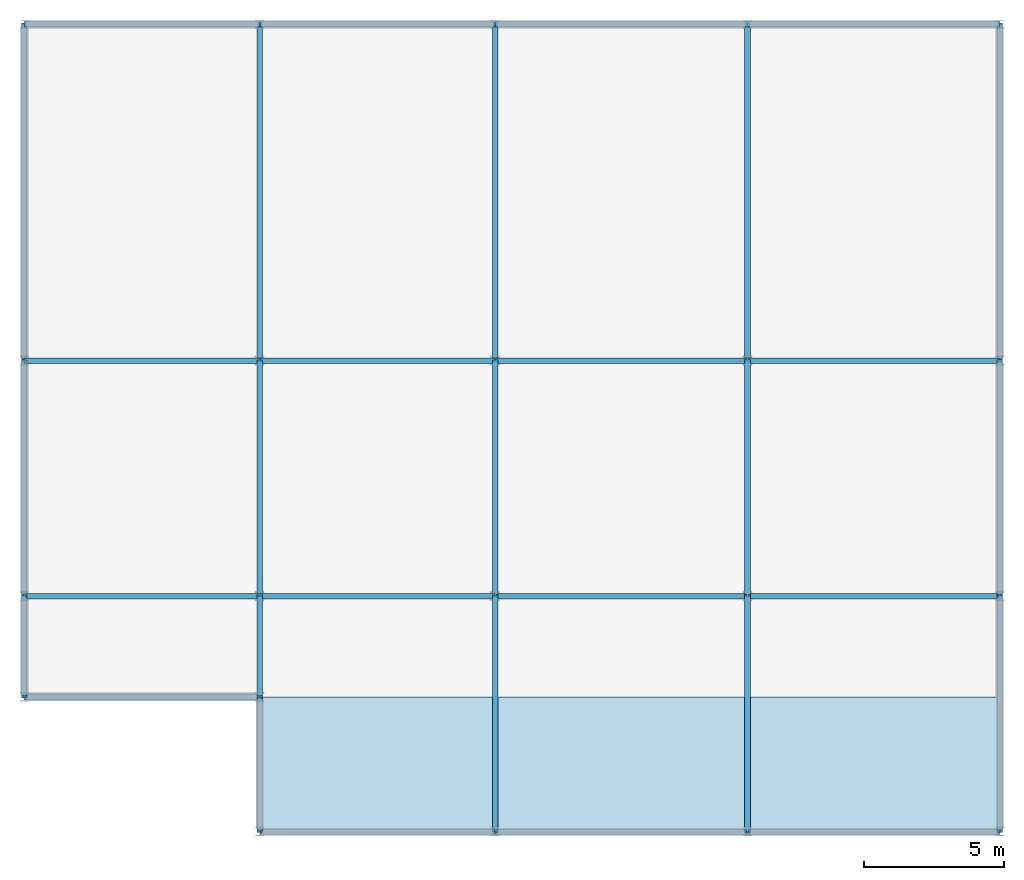
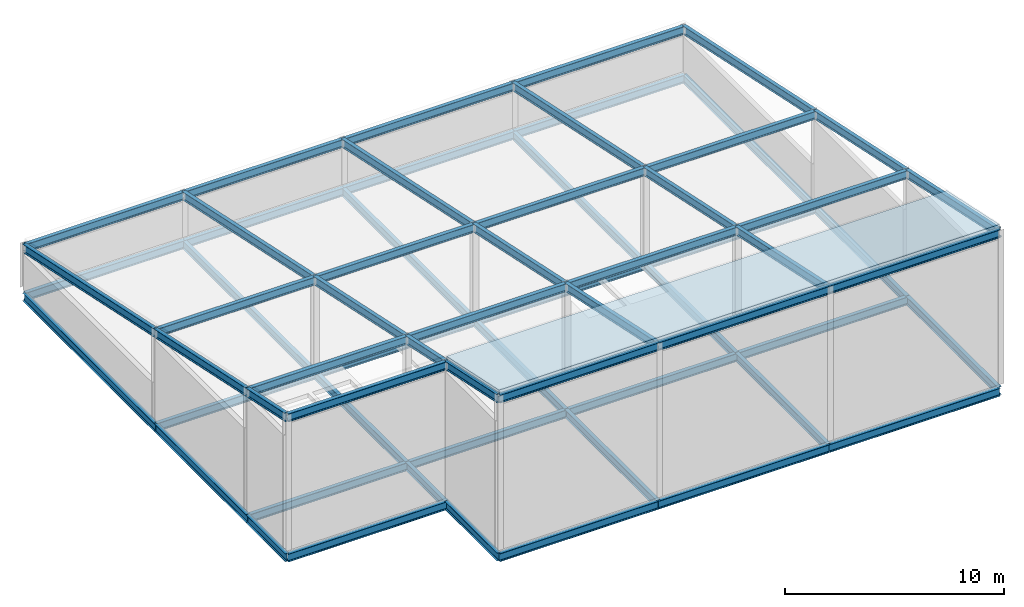
# One storey, part 3 of 5: 64 beams, 1 slab.
"""IFC4 building model written with IfcOpenShell, lengths in metres."""

from ifc_helpers import new_model, si_unit, direction, frame, origin, origin_2d, place, context, subcontext, project, spatial, polyline, i_section, outline, extrude, material, layer, layer_set, material_profile, profile_set, type_object, element, save


model = new_model("IFC4")

# Units and contexts
model_context = context("Model", 3, precision=1e-05, world=origin(), true_north=direction((0.0, 1.0)))
body_context = subcontext(model_context, "Body", "Model", "MODEL_VIEW")
ifc_project = project(units=[si_unit("LENGTHUNIT", "METRE"), si_unit("AREAUNIT", "SQUARE_METRE"), si_unit("VOLUMEUNIT", "CUBIC_METRE"), si_unit("PLANEANGLEUNIT", "RADIAN"), si_unit("MASSUNIT", "GRAM", prefix="KILO")], contexts=[model_context])

# Site, building, storey
site_placement = place(None, origin())
site = spatial("IfcSite", under=ifc_project, at=site_placement, CompositionType="ELEMENT")
building_placement = place(site_placement, origin())
building = spatial("IfcBuilding", under=site, at=building_placement, Name="Yukiwa Park Conservatory and Herbarium", CompositionType="ELEMENT")
storey_placement = place(building_placement, frame((0.0, 0.0, 65.39990234375)))
storey = spatial("IfcBuildingStorey", under=building, at=storey_placement, Name="RF", CompositionType="ELEMENT", Elevation=65.39990234375)

# Beams
ifc_material_1 = material(Name="Steel Q355D", Category="steel")
ifc_material_profile_1 = material_profile(ifc_material_1, i_section(OverallWidth=0.199951171875, OverallDepth=0.449951171875, WebThickness=0.009033203125, FlangeThickness=0.013916015625, FilletRadius=0.01806640625, at=origin_2d()), Name="HN 450x200x9x14")
ifc_profile_set_1 = profile_set([ifc_material_profile_1], Name="Steel Q355D")
beam_type_1 = type_object("IfcBeamType", Name="BM-GRD-HN450", PredefinedType="BEAM", material=ifc_profile_set_1)
beam_1_placement = place(storey_placement, frame((141.60009765625, 91.2060546875, -0.46484375), z_axis=(0.0, 1.0, 0.0), x_axis=(-1.0, 0.0, 0.0)))
element("IfcBeam", 1, at=beam_1_placement, inside=storey, type_object=beam_type_1, Name="Tower crown deck girder Y 141-91", PredefinedType="BEAM", context=body_context, shape_type="SweptSolid", body=[
    extrude(i_section(OverallWidth=0.199951171875, OverallDepth=0.449951171875, WebThickness=0.009033203125, FlangeThickness=0.013916015625, FilletRadius=0.01806640625, at=origin_2d()), origin(), (0.0, 0.0, 1.0), 3.587890625),
])
beam_2_placement = place(storey_placement, frame((141.60009765625, 94.805908203125, -0.46484375), z_axis=(0.0, 1.0, 0.0), x_axis=(-1.0, 0.0, 0.0)))
element("IfcBeam", 2, at=beam_2_placement, inside=storey, type_object=beam_type_1, Name="Tower crown deck girder Y 141-94", PredefinedType="BEAM", context=body_context, shape_type="SweptSolid", body=[
    extrude(i_section(OverallWidth=0.199951171875, OverallDepth=0.449951171875, WebThickness=0.009033203125, FlangeThickness=0.013916015625, FilletRadius=0.01806640625, at=origin_2d()), origin(), (0.0, 0.0, 1.0), 8.38818359375),
])
beam_3_placement = place(storey_placement, frame((141.60009765625, 103.2060546875, -0.46484375), z_axis=(0.0, 1.0, 0.0), x_axis=(-1.0, 0.0, 0.0)))
element("IfcBeam", 3, at=beam_3_placement, inside=storey, type_object=beam_type_1, Name="Tower crown deck girder Y 141-103", PredefinedType="BEAM", context=body_context, shape_type="SweptSolid", body=[
    extrude(i_section(OverallWidth=0.199951171875, OverallDepth=0.449951171875, WebThickness=0.009033203125, FlangeThickness=0.013916015625, FilletRadius=0.01806640625, at=origin_2d()), origin(), (0.0, 0.0, 1.0), 11.988037109375),
])
beam_4_placement = place(storey_placement, frame((150.0, 86.406005859375, -0.46484375), z_axis=(0.0, 1.0, 0.0), x_axis=(-1.0, 0.0, 0.0)))
element("IfcBeam", 4, at=beam_4_placement, inside=storey, type_object=beam_type_1, Name="Tower crown deck girder Y 150-86", PredefinedType="BEAM", context=body_context, shape_type="SweptSolid", body=[
    extrude(i_section(OverallWidth=0.199951171875, OverallDepth=0.449951171875, WebThickness=0.009033203125, FlangeThickness=0.013916015625, FilletRadius=0.01806640625, at=origin_2d()), origin(), (0.0, 0.0, 1.0), 8.387939453125),
])
beam_5_placement = place(storey_placement, frame((150.0, 94.805908203125, -0.46484375), z_axis=(0.0, 1.0, 0.0), x_axis=(-1.0, 0.0, 0.0)))
element("IfcBeam", 5, at=beam_5_placement, inside=storey, type_object=beam_type_1, Name="Tower crown deck girder Y 150-94", PredefinedType="BEAM", context=body_context, shape_type="SweptSolid", body=[
    extrude(i_section(OverallWidth=0.199951171875, OverallDepth=0.449951171875, WebThickness=0.009033203125, FlangeThickness=0.013916015625, FilletRadius=0.01806640625, at=origin_2d()), origin(), (0.0, 0.0, 1.0), 8.38818359375),
])
beam_6_placement = place(storey_placement, frame((150.0, 103.2060546875, -0.46484375), z_axis=(0.0, 1.0, 0.0), x_axis=(-1.0, 0.0, 0.0)))
element("IfcBeam", 6, at=beam_6_placement, inside=storey, type_object=beam_type_1, Name="Tower crown deck girder Y 150-103", PredefinedType="BEAM", context=body_context, shape_type="SweptSolid", body=[
    extrude(i_section(OverallWidth=0.199951171875, OverallDepth=0.449951171875, WebThickness=0.009033203125, FlangeThickness=0.013916015625, FilletRadius=0.01806640625, at=origin_2d()), origin(), (0.0, 0.0, 1.0), 11.988037109375),
])
beam_7_placement = place(storey_placement, frame((159.0, 86.406005859375, -0.46484375), z_axis=(0.0, 1.0, 0.0), x_axis=(-1.0, 0.0, 0.0)))
element("IfcBeam", 7, at=beam_7_placement, inside=storey, type_object=beam_type_1, Name="Tower crown deck girder Y 159-86", PredefinedType="BEAM", context=body_context, shape_type="SweptSolid", body=[
    extrude(i_section(OverallWidth=0.199951171875, OverallDepth=0.449951171875, WebThickness=0.009033203125, FlangeThickness=0.013916015625, FilletRadius=0.01806640625, at=origin_2d()), origin(), (0.0, 0.0, 1.0), 8.387939453125),
])
beam_8_placement = place(storey_placement, frame((159.0, 94.805908203125, -0.46484375), z_axis=(0.0, 1.0, 0.0), x_axis=(-1.0, 0.0, 0.0)))
element("IfcBeam", 8, at=beam_8_placement, inside=storey, type_object=beam_type_1, Name="Tower crown deck girder Y 159-94", PredefinedType="BEAM", context=body_context, shape_type="SweptSolid", body=[
    extrude(i_section(OverallWidth=0.199951171875, OverallDepth=0.449951171875, WebThickness=0.009033203125, FlangeThickness=0.013916015625, FilletRadius=0.01806640625, at=origin_2d()), origin(), (0.0, 0.0, 1.0), 8.38818359375),
])
beam_9_placement = place(storey_placement, frame((159.0, 103.2060546875, -0.46484375), z_axis=(0.0, 1.0, 0.0), x_axis=(-1.0, 0.0, 0.0)))
element("IfcBeam", 9, at=beam_9_placement, inside=storey, type_object=beam_type_1, Name="Tower crown deck girder Y 159-103", PredefinedType="BEAM", context=body_context, shape_type="SweptSolid", body=[
    extrude(i_section(OverallWidth=0.199951171875, OverallDepth=0.449951171875, WebThickness=0.009033203125, FlangeThickness=0.013916015625, FilletRadius=0.01806640625, at=origin_2d()), origin(), (0.0, 0.0, 1.0), 11.988037109375),
])
for number, where, z_axis, x_axis, name in (
    (10, (133.2060546875, 94.800048828125, -0.46484375), (1.0, 0.0, 0.0), (0.0, 1.0, 0.0), "Tower crown deck beam X 94-133"),
    (11, (141.60595703125, 94.800048828125, -0.46484375), (1.0, 0.0, 0.0), (0.0, 1.0, 0.0), "Tower crown deck beam X 94-141"),
):
    element("IfcBeam", number, at=place(storey_placement, frame(where, z_axis=z_axis, x_axis=x_axis)), inside=storey, type_object=beam_type_1, Name=name, PredefinedType="BEAM", context=body_context, shape_type="SweptSolid", body=[
        extrude(i_section(OverallWidth=0.199951171875, OverallDepth=0.449951171875, WebThickness=0.009033203125, FlangeThickness=0.013916015625, FilletRadius=0.01806640625, at=origin_2d()), origin(), (0.0, 0.0, 1.0), 8.387939453125),
    ])
for number, where, z_axis, x_axis, name in (
    (12, (150.006103515625, 94.800048828125, -0.46484375), (1.0, 0.0, 0.0), (0.0, 1.0, 0.0), "Tower crown deck beam X 94-150"),
    (13, (159.006103515625, 94.800048828125, -0.46484375), (1.0, 0.0, 0.0), (0.0, 1.0, 0.0), "Tower crown deck beam X 94-159"),
):
    element("IfcBeam", number, at=place(storey_placement, frame(where, z_axis=z_axis, x_axis=x_axis)), inside=storey, type_object=beam_type_1, Name=name, PredefinedType="BEAM", context=body_context, shape_type="SweptSolid", body=[
        extrude(i_section(OverallWidth=0.199951171875, OverallDepth=0.449951171875, WebThickness=0.009033203125, FlangeThickness=0.013916015625, FilletRadius=0.01806640625, at=origin_2d()), origin(), (0.0, 0.0, 1.0), 8.98779296875),
    ])
for number, where, z_axis, x_axis, name in (
    (14, (133.2060546875, 103.199951171875, -0.46484375), (1.0, 0.0, 0.0), (0.0, 1.0, 0.0), "Tower crown deck beam X 103-133"),
    (15, (141.60595703125, 103.199951171875, -0.46484375), (1.0, 0.0, 0.0), (0.0, 1.0, 0.0), "Tower crown deck beam X 103-141"),
):
    element("IfcBeam", number, at=place(storey_placement, frame(where, z_axis=z_axis, x_axis=x_axis)), inside=storey, type_object=beam_type_1, Name=name, PredefinedType="BEAM", context=body_context, shape_type="SweptSolid", body=[
        extrude(i_section(OverallWidth=0.199951171875, OverallDepth=0.449951171875, WebThickness=0.009033203125, FlangeThickness=0.013916015625, FilletRadius=0.01806640625, at=origin_2d()), origin(), (0.0, 0.0, 1.0), 8.387939453125),
    ])
for number, where, z_axis, x_axis, name in (
    (16, (150.006103515625, 103.199951171875, -0.46484375), (1.0, 0.0, 0.0), (0.0, 1.0, 0.0), "Tower crown deck beam X 103-150"),
    (17, (159.006103515625, 103.199951171875, -0.46484375), (1.0, 0.0, 0.0), (0.0, 1.0, 0.0), "Tower crown deck beam X 103-159"),
):
    element("IfcBeam", number, at=place(storey_placement, frame(where, z_axis=z_axis, x_axis=x_axis)), inside=storey, type_object=beam_type_1, Name=name, PredefinedType="BEAM", context=body_context, shape_type="SweptSolid", body=[
        extrude(i_section(OverallWidth=0.199951171875, OverallDepth=0.449951171875, WebThickness=0.009033203125, FlangeThickness=0.013916015625, FilletRadius=0.01806640625, at=origin_2d()), origin(), (0.0, 0.0, 1.0), 8.98779296875),
    ])
beam_10_placement = place(storey_placement, frame((141.60009765625, 91.2060546875, 7.346435546875), z_axis=(0.0, 0.978008404493, -0.208565483103), x_axis=(-1.0, 0.0, 0.0)))
element("IfcBeam", 18, at=beam_10_placement, inside=storey, type_object=beam_type_1, Name="Tower crown sloped rafter 141-91", PredefinedType="BEAM", context=body_context, shape_type="SweptSolid", body=[
    extrude(i_section(OverallWidth=0.199951171875, OverallDepth=0.449951171875, WebThickness=0.009033203125, FlangeThickness=0.013916015625, FilletRadius=0.01806640625, at=origin_2d()), origin(), (0.0, 0.0, 1.0), 3.66845703125),
])
beam_11_placement = place(storey_placement, frame((141.60009765625, 94.805908203125, 6.581298828125), z_axis=(0.0, 0.978089775084, -0.208183553326), x_axis=(-1.0, 0.0, 0.0)))
element("IfcBeam", 19, at=beam_11_placement, inside=storey, type_object=beam_type_1, Name="Tower crown sloped rafter 141-94", PredefinedType="BEAM", context=body_context, shape_type="SweptSolid", body=[
    extrude(i_section(OverallWidth=0.199951171875, OverallDepth=0.449951171875, WebThickness=0.009033203125, FlangeThickness=0.013916015625, FilletRadius=0.01806640625, at=origin_2d()), origin(), (0.0, 0.0, 1.0), 8.576171875),
])
beam_12_placement = place(storey_placement, frame((141.60009765625, 103.2060546875, 4.7958984375), z_axis=(0.0, 0.978103685943, -0.20811818648), x_axis=(-1.0, 0.0, 0.0)))
element("IfcBeam", 20, at=beam_12_placement, inside=storey, type_object=beam_type_1, Name="Tower crown sloped rafter 141-103", PredefinedType="BEAM", context=body_context, shape_type="SweptSolid", body=[
    extrude(i_section(OverallWidth=0.199951171875, OverallDepth=0.449951171875, WebThickness=0.009033203125, FlangeThickness=0.013916015625, FilletRadius=0.01806640625, at=origin_2d()), origin(), (0.0, 0.0, 1.0), 12.25634765625),
])
beam_13_placement = place(storey_placement, frame((150.0, 86.406005859375, 8.36669921875), z_axis=(0.0, 0.978088541236, -0.20818935012), x_axis=(-1.0, 0.0, 0.0)))
element("IfcBeam", 21, at=beam_13_placement, inside=storey, type_object=beam_type_1, Name="Tower crown sloped rafter 150-86", PredefinedType="BEAM", context=body_context, shape_type="SweptSolid", body=[
    extrude(i_section(OverallWidth=0.199951171875, OverallDepth=0.449951171875, WebThickness=0.009033203125, FlangeThickness=0.013916015625, FilletRadius=0.01806640625, at=origin_2d()), origin(), (0.0, 0.0, 1.0), 8.575927734375),
])
beam_14_placement = place(storey_placement, frame((150.0, 94.805908203125, 6.581298828125), z_axis=(0.0, 0.978089775084, -0.208183553326), x_axis=(-1.0, 0.0, 0.0)))
element("IfcBeam", 22, at=beam_14_placement, inside=storey, type_object=beam_type_1, Name="Tower crown sloped rafter 150-94", PredefinedType="BEAM", context=body_context, shape_type="SweptSolid", body=[
    extrude(i_section(OverallWidth=0.199951171875, OverallDepth=0.449951171875, WebThickness=0.009033203125, FlangeThickness=0.013916015625, FilletRadius=0.01806640625, at=origin_2d()), origin(), (0.0, 0.0, 1.0), 8.576171875),
])
beam_15_placement = place(storey_placement, frame((150.0, 103.2060546875, 4.7958984375), z_axis=(0.0, 0.978103685943, -0.20811818648), x_axis=(-1.0, 0.0, 0.0)))
element("IfcBeam", 23, at=beam_15_placement, inside=storey, type_object=beam_type_1, Name="Tower crown sloped rafter 150-103", PredefinedType="BEAM", context=body_context, shape_type="SweptSolid", body=[
    extrude(i_section(OverallWidth=0.199951171875, OverallDepth=0.449951171875, WebThickness=0.009033203125, FlangeThickness=0.013916015625, FilletRadius=0.01806640625, at=origin_2d()), origin(), (0.0, 0.0, 1.0), 12.25634765625),
])
beam_16_placement = place(storey_placement, frame((159.0, 86.406005859375, 8.36669921875), z_axis=(0.0, 0.978088541236, -0.20818935012), x_axis=(-1.0, 0.0, 0.0)))
element("IfcBeam", 24, at=beam_16_placement, inside=storey, type_object=beam_type_1, Name="Tower crown sloped rafter 159-86", PredefinedType="BEAM", context=body_context, shape_type="SweptSolid", body=[
    extrude(i_section(OverallWidth=0.199951171875, OverallDepth=0.449951171875, WebThickness=0.009033203125, FlangeThickness=0.013916015625, FilletRadius=0.01806640625, at=origin_2d()), origin(), (0.0, 0.0, 1.0), 8.575927734375),
])
beam_17_placement = place(storey_placement, frame((159.0, 94.805908203125, 6.581298828125), z_axis=(0.0, 0.978089775084, -0.208183553326), x_axis=(-1.0, 0.0, 0.0)))
element("IfcBeam", 25, at=beam_17_placement, inside=storey, type_object=beam_type_1, Name="Tower crown sloped rafter 159-94", PredefinedType="BEAM", context=body_context, shape_type="SweptSolid", body=[
    extrude(i_section(OverallWidth=0.199951171875, OverallDepth=0.449951171875, WebThickness=0.009033203125, FlangeThickness=0.013916015625, FilletRadius=0.01806640625, at=origin_2d()), origin(), (0.0, 0.0, 1.0), 8.576171875),
])
beam_18_placement = place(storey_placement, frame((159.0, 103.2060546875, 4.7958984375), z_axis=(0.0, 0.978103685943, -0.20811818648), x_axis=(-1.0, 0.0, 0.0)))
element("IfcBeam", 26, at=beam_18_placement, inside=storey, type_object=beam_type_1, Name="Tower crown sloped rafter 159-103", PredefinedType="BEAM", context=body_context, shape_type="SweptSolid", body=[
    extrude(i_section(OverallWidth=0.199951171875, OverallDepth=0.449951171875, WebThickness=0.009033203125, FlangeThickness=0.013916015625, FilletRadius=0.01806640625, at=origin_2d()), origin(), (0.0, 0.0, 1.0), 12.25634765625),
])
for number, where, z_axis, x_axis, name in (
    (27, (133.2060546875, 94.800048828125, 6.581298828125), (1.0, 0.0, 0.0), (0.0, 1.0, 0.0), "Tower crown top ring beam 94-133"),
    (28, (141.60595703125, 94.800048828125, 6.581298828125), (1.0, 0.0, 0.0), (0.0, 1.0, 0.0), "Tower crown top ring beam 94-141"),
):
    element("IfcBeam", number, at=place(storey_placement, frame(where, z_axis=z_axis, x_axis=x_axis)), inside=storey, type_object=beam_type_1, Name=name, PredefinedType="BEAM", context=body_context, shape_type="SweptSolid", body=[
        extrude(i_section(OverallWidth=0.199951171875, OverallDepth=0.449951171875, WebThickness=0.009033203125, FlangeThickness=0.013916015625, FilletRadius=0.01806640625, at=origin_2d()), origin(), (0.0, 0.0, 1.0), 8.387939453125),
    ])
for number, where, z_axis, x_axis, name in (
    (29, (150.006103515625, 94.800048828125, 6.581298828125), (1.0, 0.0, 0.0), (0.0, 1.0, 0.0), "Tower crown top ring beam 94-150"),
    (30, (159.006103515625, 94.800048828125, 6.581298828125), (1.0, 0.0, 0.0), (0.0, 1.0, 0.0), "Tower crown top ring beam 94-159"),
):
    element("IfcBeam", number, at=place(storey_placement, frame(where, z_axis=z_axis, x_axis=x_axis)), inside=storey, type_object=beam_type_1, Name=name, PredefinedType="BEAM", context=body_context, shape_type="SweptSolid", body=[
        extrude(i_section(OverallWidth=0.199951171875, OverallDepth=0.449951171875, WebThickness=0.009033203125, FlangeThickness=0.013916015625, FilletRadius=0.01806640625, at=origin_2d()), origin(), (0.0, 0.0, 1.0), 8.98779296875),
    ])
for number, where, z_axis, x_axis, name in (
    (31, (133.2060546875, 103.199951171875, 4.7958984375), (1.0, 0.0, 0.0), (0.0, 1.0, 0.0), "Tower crown top ring beam 103-133"),
    (32, (141.60595703125, 103.199951171875, 4.7958984375), (1.0, 0.0, 0.0), (0.0, 1.0, 0.0), "Tower crown top ring beam 103-141"),
):
    element("IfcBeam", number, at=place(storey_placement, frame(where, z_axis=z_axis, x_axis=x_axis)), inside=storey, type_object=beam_type_1, Name=name, PredefinedType="BEAM", context=body_context, shape_type="SweptSolid", body=[
        extrude(i_section(OverallWidth=0.199951171875, OverallDepth=0.449951171875, WebThickness=0.009033203125, FlangeThickness=0.013916015625, FilletRadius=0.01806640625, at=origin_2d()), origin(), (0.0, 0.0, 1.0), 8.387939453125),
    ])
for number, where, z_axis, x_axis, name in (
    (33, (150.006103515625, 103.199951171875, 4.7958984375), (1.0, 0.0, 0.0), (0.0, 1.0, 0.0), "Tower crown top ring beam 103-150"),
    (34, (159.006103515625, 103.199951171875, 4.7958984375), (1.0, 0.0, 0.0), (0.0, 1.0, 0.0), "Tower crown top ring beam 103-159"),
):
    element("IfcBeam", number, at=place(storey_placement, frame(where, z_axis=z_axis, x_axis=x_axis)), inside=storey, type_object=beam_type_1, Name=name, PredefinedType="BEAM", context=body_context, shape_type="SweptSolid", body=[
        extrude(i_section(OverallWidth=0.199951171875, OverallDepth=0.449951171875, WebThickness=0.009033203125, FlangeThickness=0.013916015625, FilletRadius=0.01806640625, at=origin_2d()), origin(), (0.0, 0.0, 1.0), 8.98779296875),
    ])
ifc_material_2 = material(Name="Steel Q355D", Category="steel")
ifc_material_profile_2 = material_profile(ifc_material_2, i_section(OverallWidth=0.199951171875, OverallDepth=0.449951171875, WebThickness=0.009033203125, FlangeThickness=0.013916015625, FilletRadius=0.01806640625, at=origin_2d()), Name="HN 450x200x9x14")
ifc_profile_set_2 = profile_set([ifc_material_profile_2], Name="Steel Q355D")
beam_type_2 = type_object("IfcBeamType", Name="BM-GRD-HN450-EXT", PredefinedType="BEAM", material=ifc_profile_set_2)
beam_19_placement = place(storey_placement, frame((133.199951171875, 91.2060546875, -0.46484375), z_axis=(0.0, 1.0, 0.0), x_axis=(-1.0, 0.0, 0.0)))
element("IfcBeam", 35, at=beam_19_placement, inside=storey, type_object=beam_type_2, Name="Tower crown deck girder Y 133-91", PredefinedType="BEAM", context=body_context, shape_type="SweptSolid", body=[
    extrude(i_section(OverallWidth=0.199951171875, OverallDepth=0.449951171875, WebThickness=0.009033203125, FlangeThickness=0.013916015625, FilletRadius=0.01806640625, at=origin_2d()), origin(), (0.0, 0.0, 1.0), 3.587890625),
])
beam_20_placement = place(storey_placement, frame((133.199951171875, 94.805908203125, -0.46484375), z_axis=(0.0, 1.0, 0.0), x_axis=(-1.0, 0.0, 0.0)))
element("IfcBeam", 36, at=beam_20_placement, inside=storey, type_object=beam_type_2, Name="Tower crown deck girder Y 133-94", PredefinedType="BEAM", context=body_context, shape_type="SweptSolid", body=[
    extrude(i_section(OverallWidth=0.199951171875, OverallDepth=0.449951171875, WebThickness=0.009033203125, FlangeThickness=0.013916015625, FilletRadius=0.01806640625, at=origin_2d()), origin(), (0.0, 0.0, 1.0), 8.38818359375),
])
beam_21_placement = place(storey_placement, frame((133.199951171875, 103.2060546875, -0.46484375), z_axis=(0.0, 1.0, 0.0), x_axis=(-1.0, 0.0, 0.0)))
element("IfcBeam", 37, at=beam_21_placement, inside=storey, type_object=beam_type_2, Name="Tower crown deck girder Y 133-103", PredefinedType="BEAM", context=body_context, shape_type="SweptSolid", body=[
    extrude(i_section(OverallWidth=0.199951171875, OverallDepth=0.449951171875, WebThickness=0.009033203125, FlangeThickness=0.013916015625, FilletRadius=0.01806640625, at=origin_2d()), origin(), (0.0, 0.0, 1.0), 11.988037109375),
])
beam_22_placement = place(storey_placement, frame((141.60009765625, 86.406005859375, -0.46484375), z_axis=(0.0, 1.0, 0.0), x_axis=(-1.0, 0.0, 0.0)))
element("IfcBeam", 38, at=beam_22_placement, inside=storey, type_object=beam_type_2, Name="Tower crown deck girder Y 141-86", PredefinedType="BEAM", context=body_context, shape_type="SweptSolid", body=[
    extrude(i_section(OverallWidth=0.199951171875, OverallDepth=0.449951171875, WebThickness=0.009033203125, FlangeThickness=0.013916015625, FilletRadius=0.01806640625, at=origin_2d()), origin(), (0.0, 0.0, 1.0), 4.7880859375),
])
beam_23_placement = place(storey_placement, frame((168.0, 86.406005859375, -0.46484375), z_axis=(0.0, 1.0, 0.0), x_axis=(-1.0, 0.0, 0.0)))
element("IfcBeam", 39, at=beam_23_placement, inside=storey, type_object=beam_type_2, Name="Tower crown deck girder Y 168-86", PredefinedType="BEAM", context=body_context, shape_type="SweptSolid", body=[
    extrude(i_section(OverallWidth=0.199951171875, OverallDepth=0.449951171875, WebThickness=0.009033203125, FlangeThickness=0.013916015625, FilletRadius=0.01806640625, at=origin_2d()), origin(), (0.0, 0.0, 1.0), 8.387939453125),
])
beam_24_placement = place(storey_placement, frame((168.0, 94.805908203125, -0.46484375), z_axis=(0.0, 1.0, 0.0), x_axis=(-1.0, 0.0, 0.0)))
element("IfcBeam", 40, at=beam_24_placement, inside=storey, type_object=beam_type_2, Name="Tower crown deck girder Y 168-94", PredefinedType="BEAM", context=body_context, shape_type="SweptSolid", body=[
    extrude(i_section(OverallWidth=0.199951171875, OverallDepth=0.449951171875, WebThickness=0.009033203125, FlangeThickness=0.013916015625, FilletRadius=0.01806640625, at=origin_2d()), origin(), (0.0, 0.0, 1.0), 8.38818359375),
])
beam_25_placement = place(storey_placement, frame((168.0, 103.2060546875, -0.46484375), z_axis=(0.0, 1.0, 0.0), x_axis=(-1.0, 0.0, 0.0)))
element("IfcBeam", 41, at=beam_25_placement, inside=storey, type_object=beam_type_2, Name="Tower crown deck girder Y 168-103", PredefinedType="BEAM", context=body_context, shape_type="SweptSolid", body=[
    extrude(i_section(OverallWidth=0.199951171875, OverallDepth=0.449951171875, WebThickness=0.009033203125, FlangeThickness=0.013916015625, FilletRadius=0.01806640625, at=origin_2d()), origin(), (0.0, 0.0, 1.0), 11.988037109375),
])
beam_26_placement = place(storey_placement, frame((141.60595703125, 86.39990234375, -0.46484375), z_axis=(1.0, 0.0, 0.0), x_axis=(0.0, 1.0, 0.0)))
element("IfcBeam", 42, at=beam_26_placement, inside=storey, type_object=beam_type_2, Name="Tower crown deck beam X 86-141", PredefinedType="BEAM", context=body_context, shape_type="SweptSolid", body=[
    extrude(i_section(OverallWidth=0.199951171875, OverallDepth=0.449951171875, WebThickness=0.009033203125, FlangeThickness=0.013916015625, FilletRadius=0.01806640625, at=origin_2d()), origin(), (0.0, 0.0, 1.0), 8.387939453125),
])
for number, where, z_axis, x_axis, name in (
    (43, (150.006103515625, 86.39990234375, -0.46484375), (1.0, 0.0, 0.0), (0.0, 1.0, 0.0), "Tower crown deck beam X 86-150"),
    (44, (159.006103515625, 86.39990234375, -0.46484375), (1.0, 0.0, 0.0), (0.0, 1.0, 0.0), "Tower crown deck beam X 86-159"),
):
    element("IfcBeam", number, at=place(storey_placement, frame(where, z_axis=z_axis, x_axis=x_axis)), inside=storey, type_object=beam_type_2, Name=name, PredefinedType="BEAM", context=body_context, shape_type="SweptSolid", body=[
        extrude(i_section(OverallWidth=0.199951171875, OverallDepth=0.449951171875, WebThickness=0.009033203125, FlangeThickness=0.013916015625, FilletRadius=0.01806640625, at=origin_2d()), origin(), (0.0, 0.0, 1.0), 8.98779296875),
    ])
for number, where, z_axis, x_axis, name in (
    (45, (133.2060546875, 91.199951171875, -0.46484375), (1.0, 0.0, 0.0), (0.0, 1.0, 0.0), "Tower crown deck beam X 91-133"),
    (46, (133.2060546875, 115.199951171875, -0.46484375), (1.0, 0.0, 0.0), (0.0, 1.0, 0.0), "Tower crown deck beam X 115-133"),
    (47, (141.60595703125, 115.199951171875, -0.46484375), (1.0, 0.0, 0.0), (0.0, 1.0, 0.0), "Tower crown deck beam X 115-141"),
):
    element("IfcBeam", number, at=place(storey_placement, frame(where, z_axis=z_axis, x_axis=x_axis)), inside=storey, type_object=beam_type_2, Name=name, PredefinedType="BEAM", context=body_context, shape_type="SweptSolid", body=[
        extrude(i_section(OverallWidth=0.199951171875, OverallDepth=0.449951171875, WebThickness=0.009033203125, FlangeThickness=0.013916015625, FilletRadius=0.01806640625, at=origin_2d()), origin(), (0.0, 0.0, 1.0), 8.387939453125),
    ])
for number, where, z_axis, x_axis, name in (
    (48, (150.006103515625, 115.199951171875, -0.46484375), (1.0, 0.0, 0.0), (0.0, 1.0, 0.0), "Tower crown deck beam X 115-150"),
    (49, (159.006103515625, 115.199951171875, -0.46484375), (1.0, 0.0, 0.0), (0.0, 1.0, 0.0), "Tower crown deck beam X 115-159"),
):
    element("IfcBeam", number, at=place(storey_placement, frame(where, z_axis=z_axis, x_axis=x_axis)), inside=storey, type_object=beam_type_2, Name=name, PredefinedType="BEAM", context=body_context, shape_type="SweptSolid", body=[
        extrude(i_section(OverallWidth=0.199951171875, OverallDepth=0.449951171875, WebThickness=0.009033203125, FlangeThickness=0.013916015625, FilletRadius=0.01806640625, at=origin_2d()), origin(), (0.0, 0.0, 1.0), 8.98779296875),
    ])
beam_27_placement = place(storey_placement, frame((133.199951171875, 91.2060546875, 7.346435546875), z_axis=(0.0, 0.978008404493, -0.208565483103), x_axis=(-1.0, 0.0, 0.0)))
element("IfcBeam", 50, at=beam_27_placement, inside=storey, type_object=beam_type_2, Name="Tower crown sloped rafter 133-91", PredefinedType="BEAM", context=body_context, shape_type="SweptSolid", body=[
    extrude(i_section(OverallWidth=0.199951171875, OverallDepth=0.449951171875, WebThickness=0.009033203125, FlangeThickness=0.013916015625, FilletRadius=0.01806640625, at=origin_2d()), origin(), (0.0, 0.0, 1.0), 3.66845703125),
])
beam_28_placement = place(storey_placement, frame((133.199951171875, 94.805908203125, 6.581298828125), z_axis=(0.0, 0.978089775084, -0.208183553326), x_axis=(-1.0, 0.0, 0.0)))
element("IfcBeam", 51, at=beam_28_placement, inside=storey, type_object=beam_type_2, Name="Tower crown sloped rafter 133-94", PredefinedType="BEAM", context=body_context, shape_type="SweptSolid", body=[
    extrude(i_section(OverallWidth=0.199951171875, OverallDepth=0.449951171875, WebThickness=0.009033203125, FlangeThickness=0.013916015625, FilletRadius=0.01806640625, at=origin_2d()), origin(), (0.0, 0.0, 1.0), 8.576171875),
])
beam_29_placement = place(storey_placement, frame((133.199951171875, 103.2060546875, 4.7958984375), z_axis=(0.0, 0.978103685943, -0.20811818648), x_axis=(-1.0, 0.0, 0.0)))
element("IfcBeam", 52, at=beam_29_placement, inside=storey, type_object=beam_type_2, Name="Tower crown sloped rafter 133-103", PredefinedType="BEAM", context=body_context, shape_type="SweptSolid", body=[
    extrude(i_section(OverallWidth=0.199951171875, OverallDepth=0.449951171875, WebThickness=0.009033203125, FlangeThickness=0.013916015625, FilletRadius=0.01806640625, at=origin_2d()), origin(), (0.0, 0.0, 1.0), 12.25634765625),
])
beam_30_placement = place(storey_placement, frame((141.60009765625, 86.406005859375, 8.36669921875), z_axis=(0.0, 0.978042601854, -0.208405059818), x_axis=(-1.0, 0.0, 0.0)))
element("IfcBeam", 53, at=beam_30_placement, inside=storey, type_object=beam_type_2, Name="Tower crown sloped rafter 141-86", PredefinedType="BEAM", context=body_context, shape_type="SweptSolid", body=[
    extrude(i_section(OverallWidth=0.199951171875, OverallDepth=0.449951171875, WebThickness=0.009033203125, FlangeThickness=0.013916015625, FilletRadius=0.01806640625, at=origin_2d()), origin(), (0.0, 0.0, 1.0), 4.8955078125),
])
beam_31_placement = place(storey_placement, frame((168.0, 86.406005859375, 8.36669921875), z_axis=(0.0, 0.978088541236, -0.20818935012), x_axis=(-1.0, 0.0, 0.0)))
element("IfcBeam", 54, at=beam_31_placement, inside=storey, type_object=beam_type_2, Name="Tower crown sloped rafter 168-86", PredefinedType="BEAM", context=body_context, shape_type="SweptSolid", body=[
    extrude(i_section(OverallWidth=0.199951171875, OverallDepth=0.449951171875, WebThickness=0.009033203125, FlangeThickness=0.013916015625, FilletRadius=0.01806640625, at=origin_2d()), origin(), (0.0, 0.0, 1.0), 8.575927734375),
])
beam_32_placement = place(storey_placement, frame((168.0, 94.805908203125, 6.581298828125), z_axis=(0.0, 0.978089775084, -0.208183553326), x_axis=(-1.0, 0.0, 0.0)))
element("IfcBeam", 55, at=beam_32_placement, inside=storey, type_object=beam_type_2, Name="Tower crown sloped rafter 168-94", PredefinedType="BEAM", context=body_context, shape_type="SweptSolid", body=[
    extrude(i_section(OverallWidth=0.199951171875, OverallDepth=0.449951171875, WebThickness=0.009033203125, FlangeThickness=0.013916015625, FilletRadius=0.01806640625, at=origin_2d()), origin(), (0.0, 0.0, 1.0), 8.576171875),
])
beam_33_placement = place(storey_placement, frame((168.0, 103.2060546875, 4.7958984375), z_axis=(0.0, 0.978103685943, -0.20811818648), x_axis=(-1.0, 0.0, 0.0)))
element("IfcBeam", 56, at=beam_33_placement, inside=storey, type_object=beam_type_2, Name="Tower crown sloped rafter 168-103", PredefinedType="BEAM", context=body_context, shape_type="SweptSolid", body=[
    extrude(i_section(OverallWidth=0.199951171875, OverallDepth=0.449951171875, WebThickness=0.009033203125, FlangeThickness=0.013916015625, FilletRadius=0.01806640625, at=origin_2d()), origin(), (0.0, 0.0, 1.0), 12.25634765625),
])
beam_34_placement = place(storey_placement, frame((141.60595703125, 86.39990234375, 8.36669921875), z_axis=(1.0, 0.0, 0.0), x_axis=(0.0, 1.0, 0.0)))
element("IfcBeam", 57, at=beam_34_placement, inside=storey, type_object=beam_type_2, Name="Tower crown top ring beam 86-141", PredefinedType="BEAM", context=body_context, shape_type="SweptSolid", body=[
    extrude(i_section(OverallWidth=0.199951171875, OverallDepth=0.449951171875, WebThickness=0.009033203125, FlangeThickness=0.013916015625, FilletRadius=0.01806640625, at=origin_2d()), origin(), (0.0, 0.0, 1.0), 8.387939453125),
])
for number, where, z_axis, x_axis, name in (
    (58, (150.006103515625, 86.39990234375, 8.36669921875), (1.0, 0.0, 0.0), (0.0, 1.0, 0.0), "Tower crown top ring beam 86-150"),
    (59, (159.006103515625, 86.39990234375, 8.36669921875), (1.0, 0.0, 0.0), (0.0, 1.0, 0.0), "Tower crown top ring beam 86-159"),
):
    element("IfcBeam", number, at=place(storey_placement, frame(where, z_axis=z_axis, x_axis=x_axis)), inside=storey, type_object=beam_type_2, Name=name, PredefinedType="BEAM", context=body_context, shape_type="SweptSolid", body=[
        extrude(i_section(OverallWidth=0.199951171875, OverallDepth=0.449951171875, WebThickness=0.009033203125, FlangeThickness=0.013916015625, FilletRadius=0.01806640625, at=origin_2d()), origin(), (0.0, 0.0, 1.0), 8.98779296875),
    ])
for number, where, z_axis, x_axis, name in (
    (60, (133.2060546875, 91.199951171875, 7.346435546875), (1.0, 0.0, 0.0), (0.0, 1.0, 0.0), "Tower crown top ring beam 91-133"),
    (61, (133.2060546875, 115.199951171875, 2.2451171875), (1.0, 0.0, 0.0), (0.0, 1.0, 0.0), "Tower crown top ring beam 115-133"),
    (62, (141.60595703125, 115.199951171875, 2.2451171875), (1.0, 0.0, 0.0), (0.0, 1.0, 0.0), "Tower crown top ring beam 115-141"),
):
    element("IfcBeam", number, at=place(storey_placement, frame(where, z_axis=z_axis, x_axis=x_axis)), inside=storey, type_object=beam_type_2, Name=name, PredefinedType="BEAM", context=body_context, shape_type="SweptSolid", body=[
        extrude(i_section(OverallWidth=0.199951171875, OverallDepth=0.449951171875, WebThickness=0.009033203125, FlangeThickness=0.013916015625, FilletRadius=0.01806640625, at=origin_2d()), origin(), (0.0, 0.0, 1.0), 8.387939453125),
    ])
for number, where, z_axis, x_axis, name in (
    (63, (150.006103515625, 115.199951171875, 2.2451171875), (1.0, 0.0, 0.0), (0.0, 1.0, 0.0), "Tower crown top ring beam 115-150"),
    (64, (159.006103515625, 115.199951171875, 2.2451171875), (1.0, 0.0, 0.0), (0.0, 1.0, 0.0), "Tower crown top ring beam 115-159"),
):
    element("IfcBeam", number, at=place(storey_placement, frame(where, z_axis=z_axis, x_axis=x_axis)), inside=storey, type_object=beam_type_2, Name=name, PredefinedType="BEAM", context=body_context, shape_type="SweptSolid", body=[
        extrude(i_section(OverallWidth=0.199951171875, OverallDepth=0.449951171875, WebThickness=0.009033203125, FlangeThickness=0.013916015625, FilletRadius=0.01806640625, at=origin_2d()), origin(), (0.0, 0.0, 1.0), 8.98779296875),
    ])

# Slab
ifc_material_3 = material(Name="Concrete C40", Category="concrete")
ifc_layer = layer(ifc_material_3, 0.219970703125)
ifc_layer_set = layer_set([ifc_layer], Name="Concrete C40")
slab_type = type_object("IfcSlabType", Name="SL-ROOF-220", PredefinedType="ROOF", material=ifc_layer_set)
slab_placement = place(storey_placement, frame((141.60009765625, 86.39990234375, 8.82177734375), z_axis=(0.0, 0.2079081418, 0.978148355094), x_axis=(1.0, 0.0, 0.0)))
element("IfcSlab", 65, at=slab_placement, inside=storey, type_object=slab_type, Name="Tower Crown South Wing sloped roof slab", PredefinedType="ROOF", context=body_context, shape_type="SweptSolid", body=[
    extrude(outline(polyline([(0.0, 0.0), (26.39990234375, 0.0), (26.39990234375, 4.907280989767352), (0.0, 4.907280989767352), (0.0, 0.0)])), origin(), (0.0, 0.0, -1.0), 0.219970703125),
])

save(model, "model.ifc")
